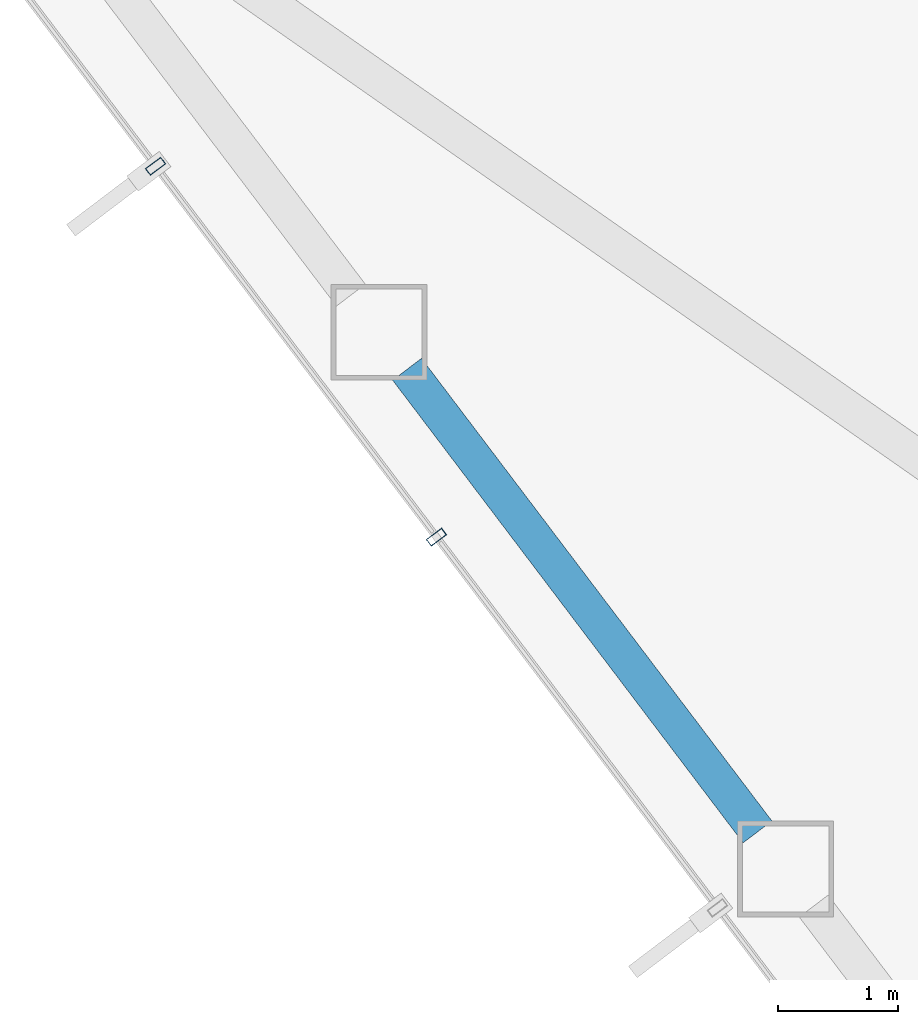
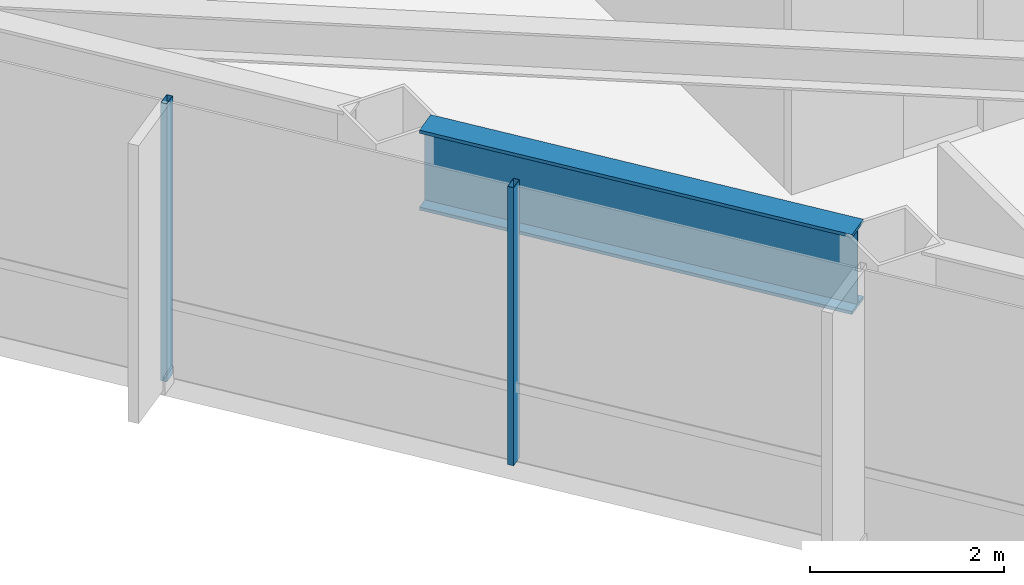
# One storey, part 4 of 28: 2 members, 1 beam, 1 element without a shape of its own.
"""IFC4 building model written with IfcOpenShell, lengths in metres."""

from ifc_helpers import new_model, si_unit, direction, frame, origin, origin_2d, place, context, subcontext, project, spatial, hollow_rectangle, i_section, extrude, material, layer, layer_set, material_profile, profile_set, type_object, element, aggregate, save


model = new_model("IFC4")

# Units and contexts
model_context = context("Model", 3, precision=1e-05, world=origin(), true_north=direction((0.0, 1.0)))
body_context = subcontext(model_context, "Body", "Model", "MODEL_VIEW")
ifc_project = project(units=[si_unit("LENGTHUNIT", "METRE"), si_unit("AREAUNIT", "SQUARE_METRE"), si_unit("VOLUMEUNIT", "CUBIC_METRE"), si_unit("PLANEANGLEUNIT", "RADIAN"), si_unit("MASSUNIT", "GRAM", prefix="KILO")], contexts=[model_context])

# Site, building, storey
site_placement = place(None, origin())
site = spatial("IfcSite", under=ifc_project, at=site_placement, CompositionType="ELEMENT")
building_placement = place(site_placement, origin())
building = spatial("IfcBuilding", under=site, at=building_placement, Name="Zarrinselat Tower", CompositionType="ELEMENT")
storey_placement = place(building_placement, frame((0.0, 0.0, 123.419921875)))
storey = spatial("IfcBuildingStorey", under=building, at=storey_placement, Name="L29", CompositionType="ELEMENT", Elevation=123.419921875)

# Beam
ifc_material_1 = material(Name="Steel S460M", Category="steel")
ifc_material_profile_1 = material_profile(ifc_material_1, i_section(OverallWidth=0.302001953125, OverallDepth=1.008056640625, WebThickness=0.02099609375, FlangeThickness=0.0400390625, at=origin_2d()), Name="HEM 1000")
ifc_profile_set_1 = profile_set([ifc_material_profile_1], Name="Steel S460M")
beam_type = type_object("IfcBeamType", Name="BM-HEM1000", PredefinedType="BEAM", material=ifc_profile_set_1)
beam_placement = place(storey_placement, frame((19.9619140625, 31.841552734375, 2.99609375), z_axis=(0.603841184863, -0.797104650258, 0.0), x_axis=(0.797104650258, 0.603841184863, 0.0)))
element("IfcBeam", 1, at=beam_placement, inside=storey, type_object=beam_type, Name="L29 Perimeter Spandrel Girder SP07", PredefinedType="BEAM", context=body_context, shape_type="SweptSolid", body=[
    extrude(i_section(OverallWidth=0.302001953125, OverallDepth=1.008056640625, WebThickness=0.02099609375, FlangeThickness=0.0400390625, at=origin_2d()), origin(), (0.0, 0.0, 1.0), 4.842041015625),
])

# Curtain wall, members
ifc_material_2 = material(Name="Extruded Aluminium Alloy EN AW-6063 T6", Category="aluminium")
ifc_layer = layer(ifc_material_2, 0.175048828125)
ifc_layer_set = layer_set([ifc_layer], Name="Extruded Aluminium Alloy EN AW-6063 T6")
curtain_wall_type = type_object("IfcCurtainWallType", Name="CWS-HTL", PredefinedType="NOTDEFINED", material=ifc_layer_set)
curtain_wall_placement = place(storey_placement, origin())
curtain_wall = element("IfcCurtainWall", 2, at=curtain_wall_placement, inside=storey, type_object=curtain_wall_type, Name="L29 Unitised Curtain Wall CW-L29-E03", PredefinedType="NOTDEFINED")
ifc_material_3 = material(Name="Extruded Aluminium Alloy EN AW-6063 T6", Category="aluminium")
ifc_material_profile_2 = material_profile(ifc_material_3, hollow_rectangle(XDim=0.070068359375, YDim=0.159912109375, WallThickness=0.00390625, at=origin_2d()), Name="RHS 160x70x4")
ifc_profile_set_2 = profile_set([ifc_material_profile_2], Name="Extruded Aluminium Alloy EN AW-6063 T6")
member_type = type_object("IfcMemberType", Name="MEM-CW-MUL2", PredefinedType="MULLION", material=ifc_profile_set_2)
member_1_placement = place(storey_placement, frame((17.86328125, 33.53515625, 0.0), z_axis=(0.0, 0.0, 1.0), x_axis=(0.603858349394, -0.797091647094, 0.0)))
member_1 = element("IfcMember", 3, at=member_1_placement, type_object=member_type, Name="CW-L29-E03 Mullion 1", PredefinedType="MULLION", context=body_context, shape_type="SweptSolid", body=[
    extrude(hollow_rectangle(XDim=0.070068359375, YDim=0.159912109375, WallThickness=0.00390625, at=origin_2d()), origin(), (0.0, 0.0, 1.0), 3.5),
])
member_2_placement = place(storey_placement, frame((20.20703125, 30.44140625, 0.0), z_axis=(0.0, 0.0, 1.0), x_axis=(0.603858349394, -0.797091647094, 0.0)))
member_2 = element("IfcMember", 4, at=member_2_placement, type_object=member_type, Name="CW-L29-E03 Mullion 2", PredefinedType="MULLION", context=body_context, shape_type="SweptSolid", body=[
    extrude(hollow_rectangle(XDim=0.070068359375, YDim=0.159912109375, WallThickness=0.00390625, at=origin_2d()), origin(), (0.0, 0.0, 1.0), 3.5),
])
aggregate(curtain_wall, [member_1, member_2])

save(model, "model.ifc")
